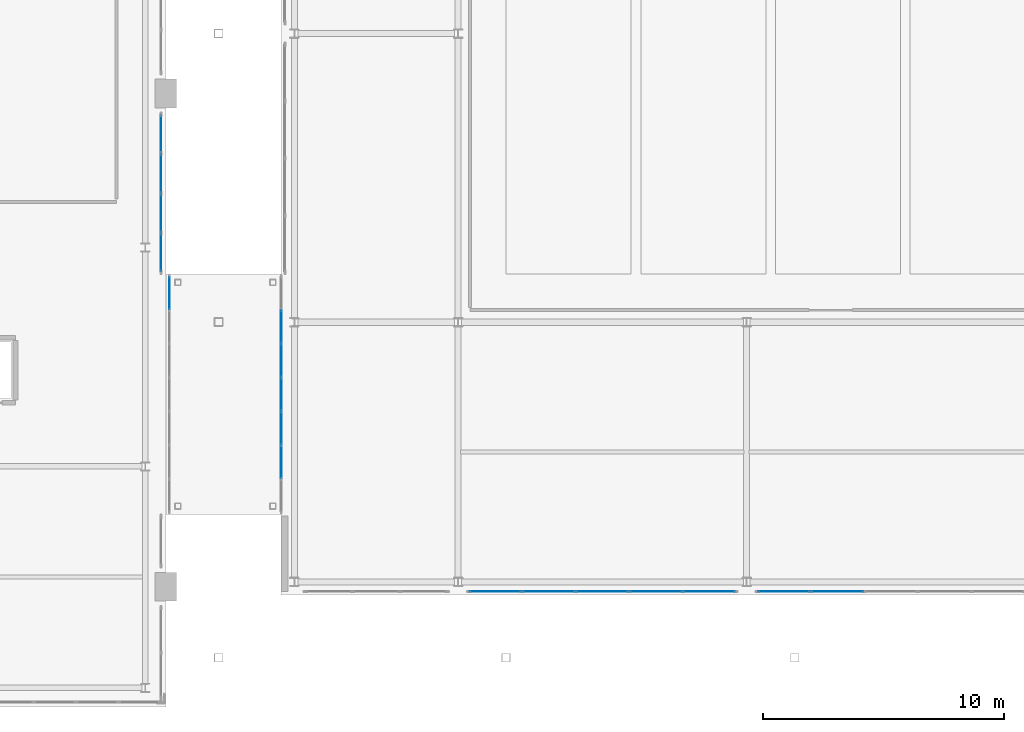
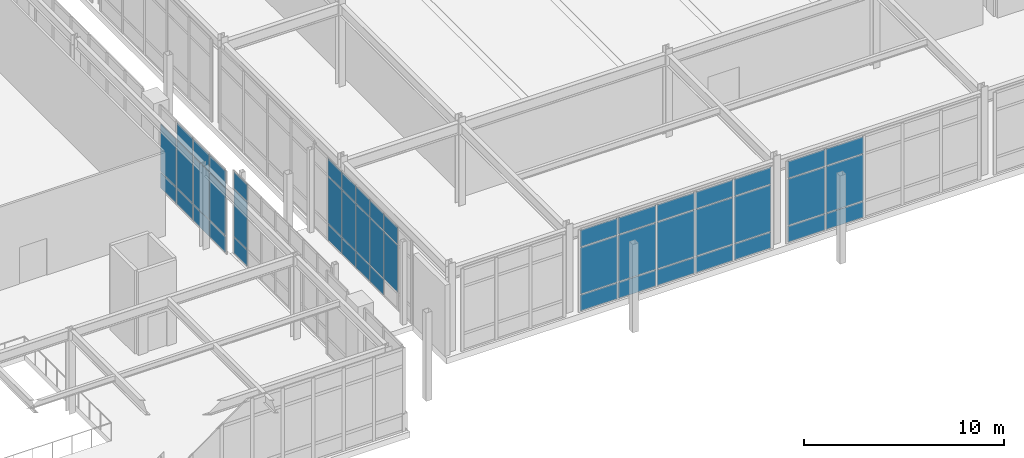
# One storey, part 110 of 159: 49 plates, 5 elements without a shape of their own.
"""IFC4 building model written with IfcOpenShell, lengths in metres."""

from ifc_helpers import new_model, si_unit, derived_unit, direction, frame, origin, origin_2d, place, context, subcontext, project, spatial, rectangle, extrude, material, layer, layer_set, type_object, element, aggregate, save


model = new_model("IFC4")

# Units and contexts
model_context = context("Model", 3, precision=1e-05, world=origin(), true_north=direction((0.0, 1.0)))
body_context = subcontext(model_context, "Body", "Model", "MODEL_VIEW")
ifc_project = project(units=[si_unit("LENGTHUNIT", "METRE"), si_unit("AREAUNIT", "SQUARE_METRE"), si_unit("VOLUMEUNIT", "CUBIC_METRE"), si_unit("PLANEANGLEUNIT", "RADIAN"), si_unit("MASSUNIT", "GRAM", prefix="KILO"), derived_unit("THERMALTRANSMITTANCEUNIT", [(si_unit("MASSUNIT", "GRAM", prefix="KILO"), 1), (si_unit("TIMEUNIT", "SECOND"), -3), (si_unit("THERMODYNAMICTEMPERATUREUNIT", "KELVIN"), -1)])], contexts=[model_context])

# Site, building, storey
site_placement = place(None, origin())
site = spatial("IfcSite", under=ifc_project, at=site_placement, CompositionType="ELEMENT")
building_placement = place(site_placement, origin())
building = spatial("IfcBuilding", under=site, at=building_placement, Name="Valcora Ridge Arena", CompositionType="ELEMENT")
storey_placement = place(building_placement, frame((0.0, 0.0, 6.0)))
storey = spatial("IfcBuildingStorey", under=building, at=storey_placement, Name="L01", CompositionType="ELEMENT", Elevation=6.0)

# Curtain wall, plates
ifc_material_1 = material(Name="Anodised dark bronze architectural aluminium 6063-T6", Category="aluminium")
ifc_layer_1 = layer(ifc_material_1, 0.14990234375, Name="Anodised dark bronze architectural aluminium 6063-T6")
ifc_layer_set_1 = layer_set([ifc_layer_1], Name="Anodised dark bronze architectural aluminium 6063-T6")
curtain_wall_type_1 = type_object("IfcCurtainWallType", Name="TY-CURTAINWALL-CW-BRG-098X51", PredefinedType="NOTDEFINED", material=ifc_layer_set_1)
curtain_wall_1_placement = place(storey_placement, origin())
curtain_wall_1 = element("IfcCurtainWall", 1, at=curtain_wall_1_placement, inside=storey, type_object=curtain_wall_type_1, Name="CW-BRG-098X51 CW-0352", PredefinedType="NOTDEFINED")
ifc_material_2 = material(Name="Low-iron solar-control double glazing SHGC 0.28", Category="glass")
ifc_layer_2 = layer(ifc_material_2, 0.028076171875, Name="Low-iron solar-control double glazing SHGC 0.28")
ifc_layer_set_2 = layer_set([ifc_layer_2], Name="Low-iron solar-control double glazing SHGC 0.28")
plate_type_1 = type_object("IfcPlateType", Name="TY-PLT-CWP-1331X0975", PredefinedType="CURTAIN_PANEL", material=ifc_layer_set_2)
plate_1_placement = place(storey_placement, frame((132.0, 17.20458984375, 0.050048828125), z_axis=(0.0, 0.0, 1.0), x_axis=(0.0, 1.0, 0.0)))
plate_1 = element("IfcPlate", 2, at=plate_1_placement, type_object=plate_type_1, Name="CW-0352/P06-00", PredefinedType="CURTAIN_PANEL", context=body_context, shape_type="SweptSolid", body=[
    extrude(rectangle(XDim=1.3310546875, YDim=0.028076171875, at=origin_2d()), origin(), (0.0, 0.0, 1.0), 0.97509765625),
])
ifc_layer_3 = layer(ifc_material_2, 0.028076171875, Name="Low-iron solar-control double glazing SHGC 0.28")
ifc_layer_set_3 = layer_set([ifc_layer_3], Name="Low-iron solar-control double glazing SHGC 0.28")
plate_type_2 = type_object("IfcPlateType", Name="TY-PLT-CWP-1331X1025", PredefinedType="CURTAIN_PANEL", material=ifc_layer_set_3)
plate_2_placement = place(storey_placement, frame((132.0, 17.20458984375, 4.005126953125), z_axis=(0.0, 0.0, 1.0), x_axis=(0.0, 1.0, 0.0)))
plate_2 = element("IfcPlate", 3, at=plate_2_placement, type_object=plate_type_2, Name="CW-0352/P06-02", PredefinedType="CURTAIN_PANEL", context=body_context, shape_type="SweptSolid", body=[
    extrude(rectangle(XDim=1.3310546875, YDim=0.028076171875, at=origin_2d()), origin(), (0.0, 0.0, 1.0), 1.02490234375),
])
ifc_layer_4 = layer(ifc_material_2, 0.028076171875, Name="Low-iron solar-control double glazing SHGC 0.28")
ifc_layer_set_4 = layer_set([ifc_layer_4], Name="Low-iron solar-control double glazing SHGC 0.28")
plate_type_3 = type_object("IfcPlateType", Name="TY-PLT-CWP-1331X2880", PredefinedType="CURTAIN_PANEL", material=ifc_layer_set_4)
plate_3_placement = place(storey_placement, frame((132.0, 17.20458984375, 1.074951171875), z_axis=(0.0, 0.0, 1.0), x_axis=(0.0, 1.0, 0.0)))
plate_3 = element("IfcPlate", 4, at=plate_3_placement, type_object=plate_type_3, Name="CW-0352/P06-01", PredefinedType="CURTAIN_PANEL", context=body_context, shape_type="SweptSolid", body=[
    extrude(rectangle(XDim=1.3310546875, YDim=0.028076171875, at=origin_2d()), origin(), (0.0, 0.0, 1.0), 2.8798828125),
])
aggregate(curtain_wall_1, [plate_1, plate_3, plate_2])

curtain_wall_2_placement = place(storey_placement, origin())
curtain_wall_2 = element("IfcCurtainWall", 5, at=curtain_wall_2_placement, inside=storey, type_object=curtain_wall_type_1, Name="CW-BRG-098X51 CW-0353", PredefinedType="NOTDEFINED")
ifc_layer_5 = layer(ifc_material_2, 0.028076171875, Name="Low-iron solar-control double glazing SHGC 0.28")
ifc_layer_set_5 = layer_set([ifc_layer_5], Name="Low-iron solar-control double glazing SHGC 0.28")
plate_type_4 = type_object("IfcPlateType", Name="TY-PLT-CWP-1355X0975", PredefinedType="CURTAIN_PANEL", material=ifc_layer_set_5)
plate_4_placement = place(storey_placement, frame((136.64990234375, 15.8115234375, 0.050048828125), z_axis=(0.0, 0.0, 1.0), x_axis=(0.0, 1.0, 0.0)))
plate_4 = element("IfcPlate", 6, at=plate_4_placement, type_object=plate_type_4, Name="CW-0353/P05-00", PredefinedType="CURTAIN_PANEL", context=body_context, shape_type="SweptSolid", body=[
    extrude(rectangle(XDim=1.35498046875, YDim=0.028076171875, at=origin_2d()), origin(), (0.0, 0.0, 1.0), 0.97509765625),
])
ifc_layer_6 = layer(ifc_material_2, 0.028076171875, Name="Low-iron solar-control double glazing SHGC 0.28")
ifc_layer_set_6 = layer_set([ifc_layer_6], Name="Low-iron solar-control double glazing SHGC 0.28")
plate_type_5 = type_object("IfcPlateType", Name="TY-PLT-CWP-1355X1025", PredefinedType="CURTAIN_PANEL", material=ifc_layer_set_6)
plate_5_placement = place(storey_placement, frame((136.64990234375, 10.1884765625, 4.005126953125), z_axis=(0.0, 0.0, 1.0), x_axis=(0.0, 1.0, 0.0)))
plate_5 = element("IfcPlate", 7, at=plate_5_placement, type_object=plate_type_5, Name="CW-0353/P01-02", PredefinedType="CURTAIN_PANEL", context=body_context, shape_type="SweptSolid", body=[
    extrude(rectangle(XDim=1.35498046875, YDim=0.028076171875, at=origin_2d()), origin(), (0.0, 0.0, 1.0), 1.02490234375),
])
plate_6_placement = place(storey_placement, frame((136.64990234375, 15.8115234375, 4.005126953125), z_axis=(0.0, 0.0, 1.0), x_axis=(0.0, 1.0, 0.0)))
plate_6 = element("IfcPlate", 8, at=plate_6_placement, type_object=plate_type_5, Name="CW-0353/P05-02", PredefinedType="CURTAIN_PANEL", context=body_context, shape_type="SweptSolid", body=[
    extrude(rectangle(XDim=1.35498046875, YDim=0.028076171875, at=origin_2d()), origin(), (0.0, 0.0, 1.0), 1.02490234375),
])
ifc_layer_7 = layer(ifc_material_2, 0.028076171875, Name="Low-iron solar-control double glazing SHGC 0.28")
ifc_layer_set_7 = layer_set([ifc_layer_7], Name="Low-iron solar-control double glazing SHGC 0.28")
plate_type_6 = type_object("IfcPlateType", Name="TY-PLT-CWP-1355X2880", PredefinedType="CURTAIN_PANEL", material=ifc_layer_set_7)
plate_7_placement = place(storey_placement, frame((136.64990234375, 10.1884765625, 1.074951171875), z_axis=(0.0, 0.0, 1.0), x_axis=(0.0, 1.0, 0.0)))
plate_7 = element("IfcPlate", 9, at=plate_7_placement, type_object=plate_type_6, Name="CW-0353/P01-01", PredefinedType="CURTAIN_PANEL", context=body_context, shape_type="SweptSolid", body=[
    extrude(rectangle(XDim=1.35498046875, YDim=0.028076171875, at=origin_2d()), origin(), (0.0, 0.0, 1.0), 2.8798828125),
])
plate_8_placement = place(storey_placement, frame((136.64990234375, 15.8115234375, 1.074951171875), z_axis=(0.0, 0.0, 1.0), x_axis=(0.0, 1.0, 0.0)))
plate_8 = element("IfcPlate", 10, at=plate_8_placement, type_object=plate_type_6, Name="CW-0353/P05-01", PredefinedType="CURTAIN_PANEL", context=body_context, shape_type="SweptSolid", body=[
    extrude(rectangle(XDim=1.35498046875, YDim=0.028076171875, at=origin_2d()), origin(), (0.0, 0.0, 1.0), 2.8798828125),
])
ifc_layer_8 = layer(ifc_material_2, 0.028076171875, Name="Low-iron solar-control double glazing SHGC 0.28")
ifc_layer_set_8 = layer_set([ifc_layer_8], Name="Low-iron solar-control double glazing SHGC 0.28")
plate_type_7 = type_object("IfcPlateType", Name="TY-PLT-CWP-1356X0975", PredefinedType="CURTAIN_PANEL", material=ifc_layer_set_8)
plate_9_placement = place(storey_placement, frame((136.64990234375, 11.593994140625, 0.050048828125), z_axis=(0.0, 0.0, 1.0), x_axis=(0.0, 1.0, 0.0)))
plate_9 = element("IfcPlate", 11, at=plate_9_placement, type_object=plate_type_7, Name="CW-0353/P02-00", PredefinedType="CURTAIN_PANEL", context=body_context, shape_type="SweptSolid", body=[
    extrude(rectangle(XDim=1.35595703125, YDim=0.028076171875, at=origin_2d()), origin(), (0.0, 0.0, 1.0), 0.97509765625),
])
plate_10_placement = place(storey_placement, frame((136.64990234375, 13.0, 0.050048828125), z_axis=(0.0, 0.0, 1.0), x_axis=(0.0, 1.0, 0.0)))
plate_10 = element("IfcPlate", 12, at=plate_10_placement, type_object=plate_type_7, Name="CW-0353/P03-00", PredefinedType="CURTAIN_PANEL", context=body_context, shape_type="SweptSolid", body=[
    extrude(rectangle(XDim=1.35595703125, YDim=0.028076171875, at=origin_2d()), origin(), (0.0, 0.0, 1.0), 0.97509765625),
])
plate_11_placement = place(storey_placement, frame((136.64990234375, 14.406005859375, 0.050048828125), z_axis=(0.0, 0.0, 1.0), x_axis=(0.0, 1.0, 0.0)))
plate_11 = element("IfcPlate", 13, at=plate_11_placement, type_object=plate_type_7, Name="CW-0353/P04-00", PredefinedType="CURTAIN_PANEL", context=body_context, shape_type="SweptSolid", body=[
    extrude(rectangle(XDim=1.35595703125, YDim=0.028076171875, at=origin_2d()), origin(), (0.0, 0.0, 1.0), 0.97509765625),
])
ifc_layer_9 = layer(ifc_material_2, 0.028076171875, Name="Low-iron solar-control double glazing SHGC 0.28")
ifc_layer_set_9 = layer_set([ifc_layer_9], Name="Low-iron solar-control double glazing SHGC 0.28")
plate_type_8 = type_object("IfcPlateType", Name="TY-PLT-CWP-1356X1025", PredefinedType="CURTAIN_PANEL", material=ifc_layer_set_9)
plate_12_placement = place(storey_placement, frame((136.64990234375, 11.593994140625, 4.005126953125), z_axis=(0.0, 0.0, 1.0), x_axis=(0.0, 1.0, 0.0)))
plate_12 = element("IfcPlate", 14, at=plate_12_placement, type_object=plate_type_8, Name="CW-0353/P02-02", PredefinedType="CURTAIN_PANEL", context=body_context, shape_type="SweptSolid", body=[
    extrude(rectangle(XDim=1.35595703125, YDim=0.028076171875, at=origin_2d()), origin(), (0.0, 0.0, 1.0), 1.02490234375),
])
plate_13_placement = place(storey_placement, frame((136.64990234375, 13.0, 4.005126953125), z_axis=(0.0, 0.0, 1.0), x_axis=(0.0, 1.0, 0.0)))
plate_13 = element("IfcPlate", 15, at=plate_13_placement, type_object=plate_type_8, Name="CW-0353/P03-02", PredefinedType="CURTAIN_PANEL", context=body_context, shape_type="SweptSolid", body=[
    extrude(rectangle(XDim=1.35595703125, YDim=0.028076171875, at=origin_2d()), origin(), (0.0, 0.0, 1.0), 1.02490234375),
])
plate_14_placement = place(storey_placement, frame((136.64990234375, 14.406005859375, 4.005126953125), z_axis=(0.0, 0.0, 1.0), x_axis=(0.0, 1.0, 0.0)))
plate_14 = element("IfcPlate", 16, at=plate_14_placement, type_object=plate_type_8, Name="CW-0353/P04-02", PredefinedType="CURTAIN_PANEL", context=body_context, shape_type="SweptSolid", body=[
    extrude(rectangle(XDim=1.35595703125, YDim=0.028076171875, at=origin_2d()), origin(), (0.0, 0.0, 1.0), 1.02490234375),
])
ifc_layer_10 = layer(ifc_material_2, 0.028076171875, Name="Low-iron solar-control double glazing SHGC 0.28")
ifc_layer_set_10 = layer_set([ifc_layer_10], Name="Low-iron solar-control double glazing SHGC 0.28")
plate_type_9 = type_object("IfcPlateType", Name="TY-PLT-CWP-1356X2880", PredefinedType="CURTAIN_PANEL", material=ifc_layer_set_10)
plate_15_placement = place(storey_placement, frame((136.64990234375, 11.593994140625, 1.074951171875), z_axis=(0.0, 0.0, 1.0), x_axis=(0.0, 1.0, 0.0)))
plate_15 = element("IfcPlate", 17, at=plate_15_placement, type_object=plate_type_9, Name="CW-0353/P02-01", PredefinedType="CURTAIN_PANEL", context=body_context, shape_type="SweptSolid", body=[
    extrude(rectangle(XDim=1.35595703125, YDim=0.028076171875, at=origin_2d()), origin(), (0.0, 0.0, 1.0), 2.8798828125),
])
plate_16_placement = place(storey_placement, frame((136.64990234375, 13.0, 1.074951171875), z_axis=(0.0, 0.0, 1.0), x_axis=(0.0, 1.0, 0.0)))
plate_16 = element("IfcPlate", 18, at=plate_16_placement, type_object=plate_type_9, Name="CW-0353/P03-01", PredefinedType="CURTAIN_PANEL", context=body_context, shape_type="SweptSolid", body=[
    extrude(rectangle(XDim=1.35595703125, YDim=0.028076171875, at=origin_2d()), origin(), (0.0, 0.0, 1.0), 2.8798828125),
])
plate_17_placement = place(storey_placement, frame((136.64990234375, 14.406005859375, 1.074951171875), z_axis=(0.0, 0.0, 1.0), x_axis=(0.0, 1.0, 0.0)))
plate_17 = element("IfcPlate", 19, at=plate_17_placement, type_object=plate_type_9, Name="CW-0353/P04-01", PredefinedType="CURTAIN_PANEL", context=body_context, shape_type="SweptSolid", body=[
    extrude(rectangle(XDim=1.35595703125, YDim=0.028076171875, at=origin_2d()), origin(), (0.0, 0.0, 1.0), 2.8798828125),
])
aggregate(curtain_wall_2, [plate_7, plate_5, plate_9, plate_15, plate_12, plate_10, plate_16, plate_13, plate_11, plate_17, plate_14, plate_4, plate_8, plate_6])

ifc_layer_11 = layer(ifc_material_1, 0.179931640625, Name="Anodised dark bronze architectural aluminium 6063-T6")
ifc_layer_set_11 = layer_set([ifc_layer_11], Name="Anodised dark bronze architectural aluminium 6063-T6")
curtain_wall_type_2 = type_object("IfcCurtainWallType", Name="TY-CURTAINWALL-CW-V3-LANCET-066X51", PredefinedType="NOTDEFINED", material=ifc_layer_set_11)
curtain_wall_3_placement = place(storey_placement, origin())
curtain_wall_3 = element("IfcCurtainWall", 20, at=curtain_wall_3_placement, inside=storey, type_object=curtain_wall_type_2, Name="CW-V3-LANCET-066X51 CW-0014", PredefinedType="NOTDEFINED")
ifc_layer_12 = layer(ifc_material_2, 0.031982421875, Name="Low-iron solar-control double glazing SHGC 0.28")
ifc_layer_set_12 = layer_set([ifc_layer_12], Name="Low-iron solar-control double glazing SHGC 0.28")
plate_type_10 = type_object("IfcPlateType", Name="TY-PLT-CWP-1562X0960", PredefinedType="CURTAIN_PANEL", material=ifc_layer_set_12)
plate_18_placement = place(storey_placement, frame((131.64990234375, 23.819091796875, 0.06005859375), z_axis=(0.0, 0.0, 1.0), x_axis=(0.0, 1.0, 0.0)))
plate_18 = element("IfcPlate", 21, at=plate_18_placement, type_object=plate_type_10, Name="CW-0014/P03-00", PredefinedType="CURTAIN_PANEL", context=body_context, shape_type="SweptSolid", body=[
    extrude(rectangle(XDim=1.56201171875, YDim=0.031982421875, at=origin_2d()), origin(), (0.0, 0.0, 1.0), 0.9599609375),
])
ifc_layer_13 = layer(ifc_material_2, 0.031982421875, Name="Low-iron solar-control double glazing SHGC 0.28")
ifc_layer_set_13 = layer_set([ifc_layer_13], Name="Low-iron solar-control double glazing SHGC 0.28")
plate_type_11 = type_object("IfcPlateType", Name="TY-PLT-CWP-1562X2890", PredefinedType="CURTAIN_PANEL", material=ifc_layer_set_13)
plate_19_placement = place(storey_placement, frame((131.64990234375, 23.819091796875, 1.080078125), z_axis=(0.0, 0.0, 1.0), x_axis=(0.0, 1.0, 0.0)))
plate_19 = element("IfcPlate", 22, at=plate_19_placement, type_object=plate_type_11, Name="CW-0014/P03-01", PredefinedType="CURTAIN_PANEL", context=body_context, shape_type="SweptSolid", body=[
    extrude(rectangle(XDim=1.56201171875, YDim=0.031982421875, at=origin_2d()), origin(), (0.0, 0.0, 1.0), 2.889892578125),
])
ifc_layer_14 = layer(ifc_material_2, 0.031982421875, Name="Low-iron solar-control double glazing SHGC 0.28")
ifc_layer_set_14 = layer_set([ifc_layer_14], Name="Low-iron solar-control double glazing SHGC 0.28")
plate_type_12 = type_object("IfcPlateType", Name="TY-PLT-CWP-1563X0960", PredefinedType="CURTAIN_PANEL", material=ifc_layer_set_14)
plate_20_placement = place(storey_placement, frame((131.64990234375, 18.8916015625, 0.06005859375), z_axis=(0.0, 0.0, 1.0), x_axis=(0.0, 1.0, 0.0)))
plate_20 = element("IfcPlate", 23, at=plate_20_placement, type_object=plate_type_12, Name="CW-0014/P00-00", PredefinedType="CURTAIN_PANEL", context=body_context, shape_type="SweptSolid", body=[
    extrude(rectangle(XDim=1.56298828125, YDim=0.031982421875, at=origin_2d()), origin(), (0.0, 0.0, 1.0), 0.9599609375),
])
ifc_layer_15 = layer(ifc_material_2, 0.031982421875, Name="Low-iron solar-control double glazing SHGC 0.28")
ifc_layer_set_15 = layer_set([ifc_layer_15], Name="Low-iron solar-control double glazing SHGC 0.28")
plate_type_13 = type_object("IfcPlateType", Name="TY-PLT-CWP-1563X1010", PredefinedType="CURTAIN_PANEL", material=ifc_layer_set_15)
plate_21_placement = place(storey_placement, frame((131.64990234375, 18.8916015625, 4.02978515625), z_axis=(0.0, 0.0, 1.0), x_axis=(0.0, 1.0, 0.0)))
plate_21 = element("IfcPlate", 24, at=plate_21_placement, type_object=plate_type_13, Name="CW-0014/P00-02", PredefinedType="CURTAIN_PANEL", context=body_context, shape_type="SweptSolid", body=[
    extrude(rectangle(XDim=1.56298828125, YDim=0.031982421875, at=origin_2d()), origin(), (0.0, 0.0, 1.0), 1.010009765625),
])
ifc_layer_16 = layer(ifc_material_2, 0.031982421875, Name="Low-iron solar-control double glazing SHGC 0.28")
ifc_layer_set_16 = layer_set([ifc_layer_16], Name="Low-iron solar-control double glazing SHGC 0.28")
plate_type_14 = type_object("IfcPlateType", Name="TY-PLT-CWP-1563X2890", PredefinedType="CURTAIN_PANEL", material=ifc_layer_set_16)
plate_22_placement = place(storey_placement, frame((131.64990234375, 18.8916015625, 1.080078125), z_axis=(0.0, 0.0, 1.0), x_axis=(0.0, 1.0, 0.0)))
plate_22 = element("IfcPlate", 25, at=plate_22_placement, type_object=plate_type_14, Name="CW-0014/P00-01", PredefinedType="CURTAIN_PANEL", context=body_context, shape_type="SweptSolid", body=[
    extrude(rectangle(XDim=1.56298828125, YDim=0.031982421875, at=origin_2d()), origin(), (0.0, 0.0, 1.0), 2.889892578125),
])
ifc_layer_17 = layer(ifc_material_2, 0.031982421875, Name="Low-iron solar-control double glazing SHGC 0.28")
ifc_layer_set_17 = layer_set([ifc_layer_17], Name="Low-iron solar-control double glazing SHGC 0.28")
plate_type_15 = type_object("IfcPlateType", Name="TY-PLT-CWP-1592X0960", PredefinedType="CURTAIN_PANEL", material=ifc_layer_set_17)
plate_23_placement = place(storey_placement, frame((131.64990234375, 20.529052734375, 0.06005859375), z_axis=(0.0, 0.0, 1.0), x_axis=(0.0, 1.0, 0.0)))
plate_23 = element("IfcPlate", 26, at=plate_23_placement, type_object=plate_type_15, Name="CW-0014/P01-00", PredefinedType="CURTAIN_PANEL", context=body_context, shape_type="SweptSolid", body=[
    extrude(rectangle(XDim=1.592041015625, YDim=0.031982421875, at=origin_2d()), origin(), (0.0, 0.0, 1.0), 0.9599609375),
])
ifc_layer_18 = layer(ifc_material_2, 0.031982421875, Name="Low-iron solar-control double glazing SHGC 0.28")
ifc_layer_set_18 = layer_set([ifc_layer_18], Name="Low-iron solar-control double glazing SHGC 0.28")
plate_type_16 = type_object("IfcPlateType", Name="TY-PLT-CWP-1592X1010", PredefinedType="CURTAIN_PANEL", material=ifc_layer_set_18)
plate_24_placement = place(storey_placement, frame((131.64990234375, 20.529052734375, 4.02978515625), z_axis=(0.0, 0.0, 1.0), x_axis=(0.0, 1.0, 0.0)))
plate_24 = element("IfcPlate", 27, at=plate_24_placement, type_object=plate_type_16, Name="CW-0014/P01-02", PredefinedType="CURTAIN_PANEL", context=body_context, shape_type="SweptSolid", body=[
    extrude(rectangle(XDim=1.592041015625, YDim=0.031982421875, at=origin_2d()), origin(), (0.0, 0.0, 1.0), 1.010009765625),
])
ifc_layer_19 = layer(ifc_material_2, 0.031982421875, Name="Low-iron solar-control double glazing SHGC 0.28")
ifc_layer_set_19 = layer_set([ifc_layer_19], Name="Low-iron solar-control double glazing SHGC 0.28")
plate_type_17 = type_object("IfcPlateType", Name="TY-PLT-CWP-1592X2890", PredefinedType="CURTAIN_PANEL", material=ifc_layer_set_19)
plate_25_placement = place(storey_placement, frame((131.64990234375, 20.529052734375, 1.080078125), z_axis=(0.0, 0.0, 1.0), x_axis=(0.0, 1.0, 0.0)))
plate_25 = element("IfcPlate", 28, at=plate_25_placement, type_object=plate_type_17, Name="CW-0014/P01-01", PredefinedType="CURTAIN_PANEL", context=body_context, shape_type="SweptSolid", body=[
    extrude(rectangle(XDim=1.592041015625, YDim=0.031982421875, at=origin_2d()), origin(), (0.0, 0.0, 1.0), 2.889892578125),
])
ifc_layer_20 = layer(ifc_material_2, 0.031982421875, Name="Low-iron solar-control double glazing SHGC 0.28")
ifc_layer_set_20 = layer_set([ifc_layer_20], Name="Low-iron solar-control double glazing SHGC 0.28")
plate_type_18 = type_object("IfcPlateType", Name="TY-PLT-CWP-1593X0960", PredefinedType="CURTAIN_PANEL", material=ifc_layer_set_20)
plate_26_placement = place(storey_placement, frame((131.64990234375, 22.181396484375, 0.06005859375), z_axis=(0.0, 0.0, 1.0), x_axis=(0.0, 1.0, 0.0)))
plate_26 = element("IfcPlate", 29, at=plate_26_placement, type_object=plate_type_18, Name="CW-0014/P02-00", PredefinedType="CURTAIN_PANEL", context=body_context, shape_type="SweptSolid", body=[
    extrude(rectangle(XDim=1.593017578125, YDim=0.031982421875, at=origin_2d()), origin(), (0.0, 0.0, 1.0), 0.9599609375),
])
ifc_layer_21 = layer(ifc_material_2, 0.031982421875, Name="Low-iron solar-control double glazing SHGC 0.28")
ifc_layer_set_21 = layer_set([ifc_layer_21], Name="Low-iron solar-control double glazing SHGC 0.28")
plate_type_19 = type_object("IfcPlateType", Name="TY-PLT-CWP-1593X1010", PredefinedType="CURTAIN_PANEL", material=ifc_layer_set_21)
plate_27_placement = place(storey_placement, frame((131.64990234375, 22.181396484375, 4.02978515625), z_axis=(0.0, 0.0, 1.0), x_axis=(0.0, 1.0, 0.0)))
plate_27 = element("IfcPlate", 30, at=plate_27_placement, type_object=plate_type_19, Name="CW-0014/P02-02", PredefinedType="CURTAIN_PANEL", context=body_context, shape_type="SweptSolid", body=[
    extrude(rectangle(XDim=1.593017578125, YDim=0.031982421875, at=origin_2d()), origin(), (0.0, 0.0, 1.0), 1.010009765625),
])
ifc_layer_22 = layer(ifc_material_2, 0.031982421875, Name="Low-iron solar-control double glazing SHGC 0.28")
ifc_layer_set_22 = layer_set([ifc_layer_22], Name="Low-iron solar-control double glazing SHGC 0.28")
plate_type_20 = type_object("IfcPlateType", Name="TY-PLT-CWP-1593X2890", PredefinedType="CURTAIN_PANEL", material=ifc_layer_set_22)
plate_28_placement = place(storey_placement, frame((131.64990234375, 22.181396484375, 1.080078125), z_axis=(0.0, 0.0, 1.0), x_axis=(0.0, 1.0, 0.0)))
plate_28 = element("IfcPlate", 31, at=plate_28_placement, type_object=plate_type_20, Name="CW-0014/P02-01", PredefinedType="CURTAIN_PANEL", context=body_context, shape_type="SweptSolid", body=[
    extrude(rectangle(XDim=1.593017578125, YDim=0.031982421875, at=origin_2d()), origin(), (0.0, 0.0, 1.0), 2.889892578125),
])
aggregate(curtain_wall_3, [plate_20, plate_22, plate_21, plate_23, plate_25, plate_24, plate_26, plate_28, plate_27, plate_18, plate_19])

ifc_layer_23 = layer(ifc_material_1, 0.179931640625, Name="Anodised dark bronze architectural aluminium 6063-T6")
ifc_layer_set_23 = layer_set([ifc_layer_23], Name="Anodised dark bronze architectural aluminium 6063-T6")
curtain_wall_type_3 = type_object("IfcCurtainWallType", Name="TY-CURTAINWALL-CW-V2-GLAZ-111X50", PredefinedType="NOTDEFINED", material=ifc_layer_set_23)
curtain_wall_4_placement = place(storey_placement, origin())
curtain_wall_4 = element("IfcCurtainWall", 32, at=curtain_wall_4_placement, inside=storey, type_object=curtain_wall_type_3, Name="CW-V2-GLAZ-111X50 CW-0045", PredefinedType="NOTDEFINED")
ifc_layer_24 = layer(ifc_material_2, 0.028076171875, Name="Low-iron solar-control double glazing SHGC 0.28")
ifc_layer_set_24 = layer_set([ifc_layer_24], Name="Low-iron solar-control double glazing SHGC 0.28")
plate_type_21 = type_object("IfcPlateType", Name="TY-PLT-CWP-2139X0975", PredefinedType="CURTAIN_PANEL", material=ifc_layer_set_24)
plate_29_placement = place(storey_placement, frame((145.556396484375, 4.800048828125, 0.050048828125), z_axis=(0.0, 0.0, 1.0), x_axis=(1.0, 0.0, 0.0)))
plate_29 = element("IfcPlate", 33, at=plate_29_placement, type_object=plate_type_21, Name="CW-0045/P00-00", PredefinedType="CURTAIN_PANEL", context=body_context, shape_type="SweptSolid", body=[
    extrude(rectangle(XDim=2.138916015625, YDim=0.028076171875, at=origin_2d()), origin(), (0.0, 0.0, 1.0), 0.97509765625),
])
plate_30_placement = place(storey_placement, frame((154.443603515625, 4.800048828125, 0.050048828125), z_axis=(0.0, 0.0, 1.0), x_axis=(1.0, 0.0, 0.0)))
plate_30 = element("IfcPlate", 34, at=plate_30_placement, type_object=plate_type_21, Name="CW-0045/P04-00", PredefinedType="CURTAIN_PANEL", context=body_context, shape_type="SweptSolid", body=[
    extrude(rectangle(XDim=2.138916015625, YDim=0.028076171875, at=origin_2d()), origin(), (0.0, 0.0, 1.0), 0.97509765625),
])

# Curtain wall, plate
curtain_wall_5_placement = place(storey_placement, origin())
curtain_wall_5 = element("IfcCurtainWall", 35, at=curtain_wall_5_placement, inside=storey, type_object=curtain_wall_type_3, Name="CW-V2-GLAZ-111X50 CW-0046", PredefinedType="NOTDEFINED")
plate_31_placement = place(storey_placement, frame((157.556396484375, 4.800048828125, 0.050048828125), z_axis=(0.0, 0.0, 1.0), x_axis=(1.0, 0.0, 0.0)))
plate_31 = element("IfcPlate", 36, at=plate_31_placement, type_object=plate_type_21, Name="CW-0046/P00-00", PredefinedType="CURTAIN_PANEL", context=body_context, shape_type="SweptSolid", body=[
    extrude(rectangle(XDim=2.138916015625, YDim=0.028076171875, at=origin_2d()), origin(), (0.0, 0.0, 1.0), 0.97509765625),
])

# Plate
ifc_layer_25 = layer(ifc_material_2, 0.028076171875, Name="Low-iron solar-control double glazing SHGC 0.28")
ifc_layer_set_25 = layer_set([ifc_layer_25], Name="Low-iron solar-control double glazing SHGC 0.28")
plate_type_22 = type_object("IfcPlateType", Name="TY-PLT-CWP-2139X1025", PredefinedType="CURTAIN_PANEL", material=ifc_layer_set_25)
plate_32_placement = place(storey_placement, frame((145.556396484375, 4.800048828125, 3.965087890625), z_axis=(0.0, 0.0, 1.0), x_axis=(1.0, 0.0, 0.0)))
plate_32 = element("IfcPlate", 37, at=plate_32_placement, type_object=plate_type_22, Name="CW-0045/P00-02", PredefinedType="CURTAIN_PANEL", context=body_context, shape_type="SweptSolid", body=[
    extrude(rectangle(XDim=2.138916015625, YDim=0.028076171875, at=origin_2d()), origin(), (0.0, 0.0, 1.0), 1.02490234375),
])

plate_33_placement = place(storey_placement, frame((154.443603515625, 4.800048828125, 3.965087890625), z_axis=(0.0, 0.0, 1.0), x_axis=(1.0, 0.0, 0.0)))
plate_33 = element("IfcPlate", 38, at=plate_33_placement, type_object=plate_type_22, Name="CW-0045/P04-02", PredefinedType="CURTAIN_PANEL", context=body_context, shape_type="SweptSolid", body=[
    extrude(rectangle(XDim=2.138916015625, YDim=0.028076171875, at=origin_2d()), origin(), (0.0, 0.0, 1.0), 1.02490234375),
])

plate_34_placement = place(storey_placement, frame((157.556396484375, 4.800048828125, 3.965087890625), z_axis=(0.0, 0.0, 1.0), x_axis=(1.0, 0.0, 0.0)))
plate_34 = element("IfcPlate", 39, at=plate_34_placement, type_object=plate_type_22, Name="CW-0046/P00-02", PredefinedType="CURTAIN_PANEL", context=body_context, shape_type="SweptSolid", body=[
    extrude(rectangle(XDim=2.138916015625, YDim=0.028076171875, at=origin_2d()), origin(), (0.0, 0.0, 1.0), 1.02490234375),
])

ifc_layer_26 = layer(ifc_material_2, 0.028076171875, Name="Low-iron solar-control double glazing SHGC 0.28")
ifc_layer_set_26 = layer_set([ifc_layer_26], Name="Low-iron solar-control double glazing SHGC 0.28")
plate_type_23 = type_object("IfcPlateType", Name="TY-PLT-CWP-2139X2840", PredefinedType="CURTAIN_PANEL", material=ifc_layer_set_26)
plate_35_placement = place(storey_placement, frame((145.556396484375, 4.800048828125, 1.0751953125), z_axis=(0.0, 0.0, 1.0), x_axis=(1.0, 0.0, 0.0)))
plate_35 = element("IfcPlate", 40, at=plate_35_placement, type_object=plate_type_23, Name="CW-0045/P00-01", PredefinedType="CURTAIN_PANEL", context=body_context, shape_type="SweptSolid", body=[
    extrude(rectangle(XDim=2.138916015625, YDim=0.028076171875, at=origin_2d()), origin(), (0.0, 0.0, 1.0), 2.840087890625),
])

plate_36_placement = place(storey_placement, frame((154.443603515625, 4.800048828125, 1.0751953125), z_axis=(0.0, 0.0, 1.0), x_axis=(1.0, 0.0, 0.0)))
plate_36 = element("IfcPlate", 41, at=plate_36_placement, type_object=plate_type_23, Name="CW-0045/P04-01", PredefinedType="CURTAIN_PANEL", context=body_context, shape_type="SweptSolid", body=[
    extrude(rectangle(XDim=2.138916015625, YDim=0.028076171875, at=origin_2d()), origin(), (0.0, 0.0, 1.0), 2.840087890625),
])

plate_37_placement = place(storey_placement, frame((157.556396484375, 4.800048828125, 1.0751953125), z_axis=(0.0, 0.0, 1.0), x_axis=(1.0, 0.0, 0.0)))
plate_37 = element("IfcPlate", 42, at=plate_37_placement, type_object=plate_type_23, Name="CW-0046/P00-01", PredefinedType="CURTAIN_PANEL", context=body_context, shape_type="SweptSolid", body=[
    extrude(rectangle(XDim=2.138916015625, YDim=0.028076171875, at=origin_2d()), origin(), (0.0, 0.0, 1.0), 2.840087890625),
])

ifc_layer_27 = layer(ifc_material_2, 0.028076171875, Name="Low-iron solar-control double glazing SHGC 0.28")
ifc_layer_set_27 = layer_set([ifc_layer_27], Name="Low-iron solar-control double glazing SHGC 0.28")
plate_type_24 = type_object("IfcPlateType", Name="TY-PLT-CWP-2169X0975", PredefinedType="CURTAIN_PANEL", material=ifc_layer_set_27)
plate_38_placement = place(storey_placement, frame((147.7705078125, 4.800048828125, 0.050048828125), z_axis=(0.0, 0.0, 1.0), x_axis=(1.0, 0.0, 0.0)))
plate_38 = element("IfcPlate", 43, at=plate_38_placement, type_object=plate_type_24, Name="CW-0045/P01-00", PredefinedType="CURTAIN_PANEL", context=body_context, shape_type="SweptSolid", body=[
    extrude(rectangle(XDim=2.1689453125, YDim=0.028076171875, at=origin_2d()), origin(), (0.0, 0.0, 1.0), 0.97509765625),
])

plate_39_placement = place(storey_placement, frame((152.2294921875, 4.800048828125, 0.050048828125), z_axis=(0.0, 0.0, 1.0), x_axis=(1.0, 0.0, 0.0)))
plate_39 = element("IfcPlate", 44, at=plate_39_placement, type_object=plate_type_24, Name="CW-0045/P03-00", PredefinedType="CURTAIN_PANEL", context=body_context, shape_type="SweptSolid", body=[
    extrude(rectangle(XDim=2.1689453125, YDim=0.028076171875, at=origin_2d()), origin(), (0.0, 0.0, 1.0), 0.97509765625),
])

plate_40_placement = place(storey_placement, frame((159.7705078125, 4.800048828125, 0.050048828125), z_axis=(0.0, 0.0, 1.0), x_axis=(1.0, 0.0, 0.0)))
plate_40 = element("IfcPlate", 45, at=plate_40_placement, type_object=plate_type_24, Name="CW-0046/P01-00", PredefinedType="CURTAIN_PANEL", context=body_context, shape_type="SweptSolid", body=[
    extrude(rectangle(XDim=2.1689453125, YDim=0.028076171875, at=origin_2d()), origin(), (0.0, 0.0, 1.0), 0.97509765625),
])

ifc_layer_28 = layer(ifc_material_2, 0.028076171875, Name="Low-iron solar-control double glazing SHGC 0.28")
ifc_layer_set_28 = layer_set([ifc_layer_28], Name="Low-iron solar-control double glazing SHGC 0.28")
plate_type_25 = type_object("IfcPlateType", Name="TY-PLT-CWP-2169X1025", PredefinedType="CURTAIN_PANEL", material=ifc_layer_set_28)
plate_41_placement = place(storey_placement, frame((147.7705078125, 4.800048828125, 3.965087890625), z_axis=(0.0, 0.0, 1.0), x_axis=(1.0, 0.0, 0.0)))
plate_41 = element("IfcPlate", 46, at=plate_41_placement, type_object=plate_type_25, Name="CW-0045/P01-02", PredefinedType="CURTAIN_PANEL", context=body_context, shape_type="SweptSolid", body=[
    extrude(rectangle(XDim=2.1689453125, YDim=0.028076171875, at=origin_2d()), origin(), (0.0, 0.0, 1.0), 1.02490234375),
])

plate_42_placement = place(storey_placement, frame((152.2294921875, 4.800048828125, 3.965087890625), z_axis=(0.0, 0.0, 1.0), x_axis=(1.0, 0.0, 0.0)))
plate_42 = element("IfcPlate", 47, at=plate_42_placement, type_object=plate_type_25, Name="CW-0045/P03-02", PredefinedType="CURTAIN_PANEL", context=body_context, shape_type="SweptSolid", body=[
    extrude(rectangle(XDim=2.1689453125, YDim=0.028076171875, at=origin_2d()), origin(), (0.0, 0.0, 1.0), 1.02490234375),
])

plate_43_placement = place(storey_placement, frame((159.7705078125, 4.800048828125, 3.965087890625), z_axis=(0.0, 0.0, 1.0), x_axis=(1.0, 0.0, 0.0)))
plate_43 = element("IfcPlate", 48, at=plate_43_placement, type_object=plate_type_25, Name="CW-0046/P01-02", PredefinedType="CURTAIN_PANEL", context=body_context, shape_type="SweptSolid", body=[
    extrude(rectangle(XDim=2.1689453125, YDim=0.028076171875, at=origin_2d()), origin(), (0.0, 0.0, 1.0), 1.02490234375),
])

ifc_layer_29 = layer(ifc_material_2, 0.028076171875, Name="Low-iron solar-control double glazing SHGC 0.28")
ifc_layer_set_29 = layer_set([ifc_layer_29], Name="Low-iron solar-control double glazing SHGC 0.28")
plate_type_26 = type_object("IfcPlateType", Name="TY-PLT-CWP-2169X2840", PredefinedType="CURTAIN_PANEL", material=ifc_layer_set_29)
plate_44_placement = place(storey_placement, frame((147.7705078125, 4.800048828125, 1.0751953125), z_axis=(0.0, 0.0, 1.0), x_axis=(1.0, 0.0, 0.0)))
plate_44 = element("IfcPlate", 49, at=plate_44_placement, type_object=plate_type_26, Name="CW-0045/P01-01", PredefinedType="CURTAIN_PANEL", context=body_context, shape_type="SweptSolid", body=[
    extrude(rectangle(XDim=2.1689453125, YDim=0.028076171875, at=origin_2d()), origin(), (0.0, 0.0, 1.0), 2.840087890625),
])

plate_45_placement = place(storey_placement, frame((152.2294921875, 4.800048828125, 1.0751953125), z_axis=(0.0, 0.0, 1.0), x_axis=(1.0, 0.0, 0.0)))
plate_45 = element("IfcPlate", 50, at=plate_45_placement, type_object=plate_type_26, Name="CW-0045/P03-01", PredefinedType="CURTAIN_PANEL", context=body_context, shape_type="SweptSolid", body=[
    extrude(rectangle(XDim=2.1689453125, YDim=0.028076171875, at=origin_2d()), origin(), (0.0, 0.0, 1.0), 2.840087890625),
])

plate_46_placement = place(storey_placement, frame((159.7705078125, 4.800048828125, 1.0751953125), z_axis=(0.0, 0.0, 1.0), x_axis=(1.0, 0.0, 0.0)))
plate_46 = element("IfcPlate", 51, at=plate_46_placement, type_object=plate_type_26, Name="CW-0046/P01-01", PredefinedType="CURTAIN_PANEL", context=body_context, shape_type="SweptSolid", body=[
    extrude(rectangle(XDim=2.1689453125, YDim=0.028076171875, at=origin_2d()), origin(), (0.0, 0.0, 1.0), 2.840087890625),
])

aggregate(curtain_wall_5, [plate_31, plate_37, plate_34, plate_40, plate_46, plate_43])

ifc_layer_30 = layer(ifc_material_2, 0.028076171875, Name="Low-iron solar-control double glazing SHGC 0.28")
ifc_layer_set_30 = layer_set([ifc_layer_30], Name="Low-iron solar-control double glazing SHGC 0.28")
plate_type_27 = type_object("IfcPlateType", Name="TY-PLT-CWP-2170X0975", PredefinedType="CURTAIN_PANEL", material=ifc_layer_set_30)
plate_47_placement = place(storey_placement, frame((150.0, 4.800048828125, 0.050048828125), z_axis=(0.0, 0.0, 1.0), x_axis=(1.0, 0.0, 0.0)))
plate_47 = element("IfcPlate", 52, at=plate_47_placement, type_object=plate_type_27, Name="CW-0045/P02-00", PredefinedType="CURTAIN_PANEL", context=body_context, shape_type="SweptSolid", body=[
    extrude(rectangle(XDim=2.169921875, YDim=0.028076171875, at=origin_2d()), origin(), (0.0, 0.0, 1.0), 0.97509765625),
])

ifc_layer_31 = layer(ifc_material_2, 0.028076171875, Name="Low-iron solar-control double glazing SHGC 0.28")
ifc_layer_set_31 = layer_set([ifc_layer_31], Name="Low-iron solar-control double glazing SHGC 0.28")
plate_type_28 = type_object("IfcPlateType", Name="TY-PLT-CWP-2170X1025", PredefinedType="CURTAIN_PANEL", material=ifc_layer_set_31)
plate_48_placement = place(storey_placement, frame((150.0, 4.800048828125, 3.965087890625), z_axis=(0.0, 0.0, 1.0), x_axis=(1.0, 0.0, 0.0)))
plate_48 = element("IfcPlate", 53, at=plate_48_placement, type_object=plate_type_28, Name="CW-0045/P02-02", PredefinedType="CURTAIN_PANEL", context=body_context, shape_type="SweptSolid", body=[
    extrude(rectangle(XDim=2.169921875, YDim=0.028076171875, at=origin_2d()), origin(), (0.0, 0.0, 1.0), 1.02490234375),
])

ifc_layer_32 = layer(ifc_material_2, 0.028076171875, Name="Low-iron solar-control double glazing SHGC 0.28")
ifc_layer_set_32 = layer_set([ifc_layer_32], Name="Low-iron solar-control double glazing SHGC 0.28")
plate_type_29 = type_object("IfcPlateType", Name="TY-PLT-CWP-2170X2840", PredefinedType="CURTAIN_PANEL", material=ifc_layer_set_32)
plate_49_placement = place(storey_placement, frame((150.0, 4.800048828125, 1.0751953125), z_axis=(0.0, 0.0, 1.0), x_axis=(1.0, 0.0, 0.0)))
plate_49 = element("IfcPlate", 54, at=plate_49_placement, type_object=plate_type_29, Name="CW-0045/P02-01", PredefinedType="CURTAIN_PANEL", context=body_context, shape_type="SweptSolid", body=[
    extrude(rectangle(XDim=2.169921875, YDim=0.028076171875, at=origin_2d()), origin(), (0.0, 0.0, 1.0), 2.840087890625),
])

aggregate(curtain_wall_4, [plate_29, plate_35, plate_32, plate_38, plate_44, plate_41, plate_47, plate_49, plate_48, plate_39, plate_45, plate_42, plate_30, plate_36, plate_33])

save(model, "model.ifc")
